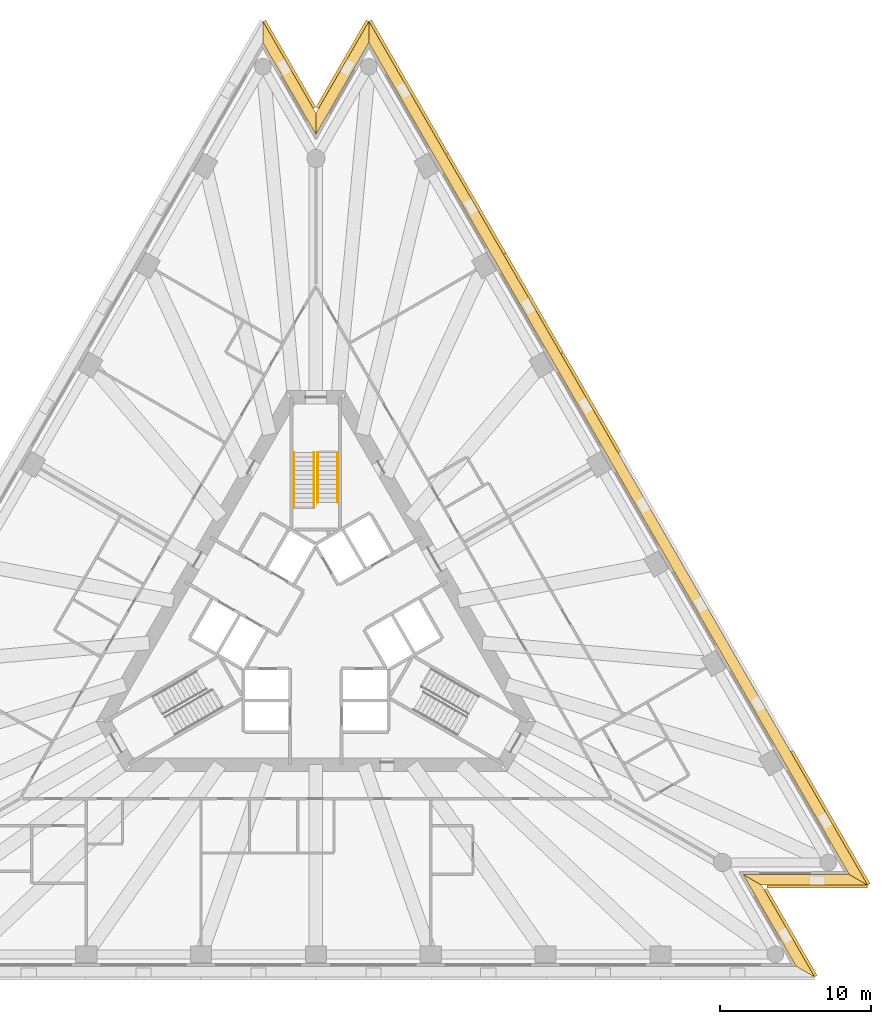
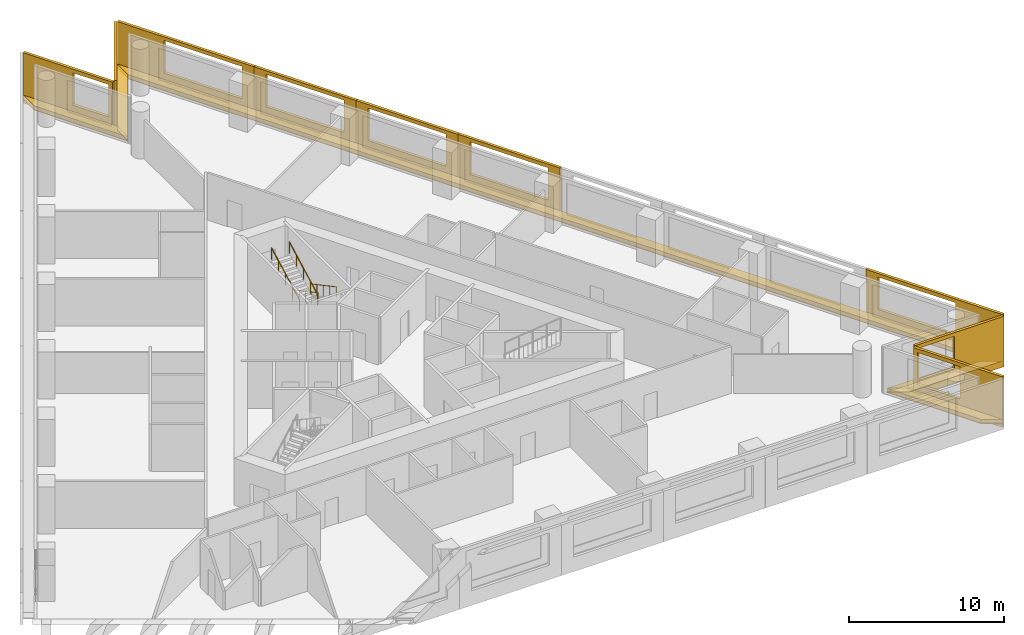
# One storey, part 11 of 11: 14 shading devices, 5 coverings, 4 railings, 1 element without a shape of its own.
"""IFC4 building model written with IfcOpenShell, lengths in metres."""

from ifc_helpers import new_model, si_unit, direction, frame, origin, origin_2d, place, context, subcontext, project, spatial, polyline, circle, outline, extrude, material, layer, layer_set, layer_usage, type_object, element, aggregate, save


model = new_model("IFC4")

# Units and contexts
model_context = context("Model", 3, precision=1e-05, world=origin(), true_north=direction((0.0, 1.0)))
body_context = subcontext(model_context, "Body", "Model", "MODEL_VIEW")
ifc_project = project(units=[si_unit("LENGTHUNIT", "METRE"), si_unit("AREAUNIT", "SQUARE_METRE"), si_unit("VOLUMEUNIT", "CUBIC_METRE"), si_unit("PLANEANGLEUNIT", "RADIAN"), si_unit("MASSUNIT", "GRAM", prefix="KILO")], contexts=[model_context])

# Site, building, storey
site_placement = place(None, origin())
site = spatial("IfcSite", under=ifc_project, at=site_placement, CompositionType="ELEMENT")
building_placement = place(site_placement, origin())
building = spatial("IfcBuilding", under=site, at=building_placement, Name="Triada Interchange Tower", CompositionType="ELEMENT")
storey_placement = place(building_placement, frame((0.0, 0.0, 35.300048828125)))
storey = spatial("IfcBuildingStorey", under=building, at=storey_placement, Name="L06", CompositionType="ELEMENT", Elevation=35.300048828125)

# Coverings
ifc_material_1 = material(Name="Mineral fire-stop board")
ifc_layer_1 = layer(ifc_material_1, 0.0400390625, Name="Mineral fire-stop board")
ifc_material_2 = material(Name="Intumescent sealant")
ifc_layer_2 = layer(ifc_material_2, 0.010009765625, Name="Intumescent seal")
ifc_layer_set_1 = layer_set([ifc_layer_1, ifc_layer_2], Name="Cavity fire stop")
ifc_layer_usage = layer_usage(ifc_layer_set_1, "AXIS3", "POSITIVE", 0.0)
covering_type = type_object("IfcCoveringType", Name="Cavity fire stop", PredefinedType="INSULATION", material=ifc_layer_set_1)
covering_1_placement = place(storey_placement, origin())
element("IfcCovering", 1, at=covering_1_placement, inside=storey, type_object=covering_type, material=ifc_layer_usage, Name="Cavity fire stop L06 SE-1", PredefinedType="INSULATION", context=body_context, shape_type="SweptSolid", body=[
    extrude(outline(polyline([(31.782958984375, -22.39990234375), (32.9951171875, -23.10009765625), (29.488037109375, -17.02490234375), (28.27587890625, -16.324951171875), (31.782958984375, -22.39990234375)])), origin(), (0.0, 0.0, 1.0), 0.050048828125),
])
covering_2_placement = place(storey_placement, origin())
element("IfcCovering", 2, at=covering_2_placement, inside=storey, type_object=covering_type, material=ifc_layer_usage, Name="Cavity fire stop L06 SE-2", PredefinedType="INSULATION", context=body_context, shape_type="SweptSolid", body=[
    extrude(outline(polyline([(28.27587890625, -16.324951171875), (29.488037109375, -17.02490234375), (36.5029296875, -17.02490234375), (35.291015625, -16.324951171875), (28.27587890625, -16.324951171875)])), origin(), (0.0, 0.0, 1.0), 0.050048828125),
])
covering_3_placement = place(storey_placement, origin())
element("IfcCovering", 3, at=covering_3_placement, inside=storey, type_object=covering_type, material=ifc_layer_usage, Name="Cavity fire stop L06 NE", PredefinedType="INSULATION", context=body_context, shape_type="SweptSolid", body=[
    extrude(outline(polyline([(35.291015625, -16.324951171875), (36.5029296875, -17.02490234375), (3.507080078125, 40.125), (3.507080078125, 38.72509765625), (35.291015625, -16.324951171875)])), origin(), (0.0, 0.0, 1.0), 0.050048828125),
])
covering_4_placement = place(storey_placement, origin())
element("IfcCovering", 4, at=covering_4_placement, inside=storey, type_object=covering_type, material=ifc_layer_usage, Name="Cavity fire stop L06 N-1", PredefinedType="INSULATION", context=body_context, shape_type="SweptSolid", body=[
    extrude(outline(polyline([(3.507080078125, 38.72509765625), (3.507080078125, 40.125), (0.0, 34.050048828125), (0.0, 32.64990234375), (3.507080078125, 38.72509765625)])), origin(), (0.0, 0.0, 1.0), 0.050048828125),
])
covering_5_placement = place(storey_placement, origin())
element("IfcCovering", 5, at=covering_5_placement, inside=storey, type_object=covering_type, material=ifc_layer_usage, Name="Cavity fire stop L06 N-2", PredefinedType="INSULATION", context=body_context, shape_type="SweptSolid", body=[
    extrude(outline(polyline([(0.0, 32.64990234375), (0.0, 34.050048828125), (-3.507080078125, 40.125), (-3.507080078125, 38.72509765625), (0.0, 32.64990234375)])), origin(), (0.0, 0.0, 1.0), 0.050048828125),
])

# Shading devices
ifc_material_3 = material(Name="Aluminium louvre", Category="aluminium")
shading_device_type_1 = type_object("IfcShadingDeviceType", Name="Cavity louvre grille", PredefinedType="JALOUSIE", material=ifc_material_3)
shading_device_1_placement = place(storey_placement, frame((0.0, 0.0, 0.050048828125)))
element("IfcShadingDevice", 6, at=shading_device_1_placement, inside=storey, type_object=shading_device_type_1, Name="Cavity louvre grille L06 SE-1", PredefinedType="JALOUSIE", context=body_context, shape_type="SweptSolid", body=[
    extrude(outline(polyline([(31.782958984375, -22.39990234375), (32.9951171875, -23.10009765625), (29.488037109375, -17.02490234375), (28.27587890625, -16.324951171875), (31.782958984375, -22.39990234375)])), origin(), (0.0, 0.0, 1.0), 0.2998046875),
])
shading_device_2_placement = place(storey_placement, frame((0.0, 0.0, 0.050048828125)))
element("IfcShadingDevice", 7, at=shading_device_2_placement, inside=storey, type_object=shading_device_type_1, Name="Cavity louvre grille L06 SE-2", PredefinedType="JALOUSIE", context=body_context, shape_type="SweptSolid", body=[
    extrude(outline(polyline([(28.27587890625, -16.324951171875), (29.488037109375, -17.02490234375), (36.5029296875, -17.02490234375), (35.291015625, -16.324951171875), (28.27587890625, -16.324951171875)])), origin(), (0.0, 0.0, 1.0), 0.2998046875),
])
shading_device_3_placement = place(storey_placement, frame((0.0, 0.0, 0.050048828125)))
element("IfcShadingDevice", 8, at=shading_device_3_placement, inside=storey, type_object=shading_device_type_1, Name="Cavity louvre grille L06 NE", PredefinedType="JALOUSIE", context=body_context, shape_type="SweptSolid", body=[
    extrude(outline(polyline([(35.291015625, -16.324951171875), (36.5029296875, -17.02490234375), (3.507080078125, 40.125), (3.507080078125, 38.72509765625), (35.291015625, -16.324951171875)])), origin(), (0.0, 0.0, 1.0), 0.2998046875),
])
shading_device_4_placement = place(storey_placement, frame((0.0, 0.0, 0.050048828125)))
element("IfcShadingDevice", 9, at=shading_device_4_placement, inside=storey, type_object=shading_device_type_1, Name="Cavity louvre grille L06 N-1", PredefinedType="JALOUSIE", context=body_context, shape_type="SweptSolid", body=[
    extrude(outline(polyline([(3.507080078125, 38.72509765625), (3.507080078125, 40.125), (0.0, 34.050048828125), (0.0, 32.64990234375), (3.507080078125, 38.72509765625)])), origin(), (0.0, 0.0, 1.0), 0.2998046875),
])
shading_device_5_placement = place(storey_placement, frame((0.0, 0.0, 0.050048828125)))
element("IfcShadingDevice", 10, at=shading_device_5_placement, inside=storey, type_object=shading_device_type_1, Name="Cavity louvre grille L06 N-2", PredefinedType="JALOUSIE", context=body_context, shape_type="SweptSolid", body=[
    extrude(outline(polyline([(0.0, 32.64990234375), (0.0, 34.050048828125), (-3.507080078125, 40.125), (-3.507080078125, 38.72509765625), (0.0, 32.64990234375)])), origin(), (0.0, 0.0, 1.0), 0.2998046875),
])
ifc_material_4 = material(Name="Concrete C50/60 precast", Category="concrete")
ifc_layer_3 = layer(ifc_material_4, 0.02001953125, Name="Exposed aggregate face")
ifc_layer_4 = layer(ifc_material_4, 0.179931640625, Name="Precast concrete screen")
ifc_layer_set_2 = layer_set([ifc_layer_3, ifc_layer_4], Name="Outer skin screen panel 3980")
shading_device_type_2 = type_object("IfcShadingDeviceType", Name="Outer skin screen panel 3980", PredefinedType="SHUTTER", material=ifc_layer_set_2)
shading_device_6_placement = place(storey_placement, frame((32.989990234375, -23.091064453125, -0.2900390625), z_axis=(0.0, 0.0, 1.0), x_axis=(-0.50001386285, 0.866017399916, 0.0)))
element("IfcShadingDevice", 11, at=shading_device_6_placement, inside=storey, type_object=shading_device_type_2, Name="Outer skin screen panel L06 19", PredefinedType="SHUTTER", context=body_context, shape_type="SweptSolid", body=[
    extrude(outline(polyline([(0.0, 0.0), (6.647705078125, 0.0), (6.647705078125, 3.97998046875), (0.0, 3.97998046875), (0.0, 0.0)]), holes=[polyline([(3.17529296875, 1.139892578125), (3.17529296875, 3.68994140625), (6.347900390625, 3.68994140625), (6.347900390625, 1.139892578125), (3.17529296875, 1.139892578125)])]), frame((0.0, 0.0, 0.0), z_axis=(0.0, -1.0, 0.0), x_axis=(1.0, 0.0, 0.0)), (0.0, 0.0, 1.0), 0.199951171875),
])
shading_device_7_placement = place(storey_placement, frame((29.844970703125, -17.02490234375, -0.2900390625), z_axis=(0.0, 0.0, 1.0), x_axis=(1.0, 0.0, 0.0)))
element("IfcShadingDevice", 12, at=shading_device_7_placement, inside=storey, type_object=shading_device_type_2, Name="Outer skin screen panel L06 20", PredefinedType="SHUTTER", context=body_context, shape_type="SweptSolid", body=[
    extrude(outline(polyline([(0.0, 0.0), (6.64794921875, 0.0), (6.64794921875, 3.97998046875), (0.0, 3.97998046875), (0.0, 0.0)]), holes=[polyline([(0.300048828125, 1.139892578125), (0.300048828125, 3.68994140625), (2.9580078125, 3.68994140625), (2.9580078125, 1.139892578125), (0.300048828125, 1.139892578125)])]), frame((0.0, 0.0, 0.0), z_axis=(0.0, -1.0, 0.0), x_axis=(1.0, 0.0, 0.0)), (0.0, 0.0, 1.0), 0.199951171875),
])
shading_device_8_placement = place(storey_placement, frame((36.498046875, -17.01611328125, -0.2900390625), z_axis=(0.0, 0.0, 1.0), x_axis=(-0.500016609325, 0.866015814174, 0.0)))
element("IfcShadingDevice", 13, at=shading_device_8_placement, inside=storey, type_object=shading_device_type_2, Name="Outer skin screen panel L06 21", PredefinedType="SHUTTER", context=body_context, shape_type="SweptSolid", body=[
    extrude(outline(polyline([(0.0, 0.0), (10.177978515625, 0.0), (10.177978515625, 3.97998046875), (0.0, 3.97998046875), (0.0, 0.0)]), holes=[polyline([(3.4873046875, 1.139892578125), (3.4873046875, 3.68994140625), (9.287353515625, 3.68994140625), (9.287353515625, 1.139892578125), (3.4873046875, 1.139892578125)])]), frame((0.0, 0.0, 0.0), z_axis=(0.0, -1.0, 0.0), x_axis=(1.0, 0.0, 0.0)), (0.0, 0.0, 1.0), 0.199951171875),
])
shading_device_9_placement = place(storey_placement, frame((20.0, 11.55908203125, -0.2900390625), z_axis=(0.0, 0.0, 1.0), x_axis=(-0.500032870163, 0.866006425355, 0.0)))
element("IfcShadingDevice", 14, at=shading_device_9_placement, inside=storey, type_object=shading_device_type_2, Name="Outer skin screen panel L06 25", PredefinedType="SHUTTER", context=body_context, shape_type="SweptSolid", body=[
    extrude(outline(polyline([(0.0, 0.0), (7.57958984375, 0.0), (7.57958984375, 3.97998046875), (0.0, 3.97998046875), (0.0, 0.0)]), holes=[polyline([(0.8896484375, 1.139892578125), (0.8896484375, 3.68994140625), (6.689697265625, 3.68994140625), (6.689697265625, 1.139892578125), (0.8896484375, 1.139892578125)])]), frame((0.0, 0.0, 0.0), z_axis=(0.0, -1.0, 0.0), x_axis=(1.0, 0.0, 0.0)), (0.0, 0.0, 1.0), 0.199951171875),
])
shading_device_10_placement = place(storey_placement, frame((16.199951171875, 18.139892578125, -0.2900390625), z_axis=(0.0, 0.0, 1.0), x_axis=(-0.499922287265, 0.866070266604, 0.0)))
element("IfcShadingDevice", 15, at=shading_device_10_placement, inside=storey, type_object=shading_device_type_2, Name="Outer skin screen panel L06 26", PredefinedType="SHUTTER", context=body_context, shape_type="SweptSolid", body=[
    extrude(outline(polyline([(0.0, 0.0), (7.579345703125, 0.0), (7.579345703125, 3.97998046875), (0.0, 3.97998046875), (0.0, 0.0)]), holes=[polyline([(0.88916015625, 1.139892578125), (0.88916015625, 3.68994140625), (6.689208984375, 3.68994140625), (6.689208984375, 1.139892578125), (0.88916015625, 1.139892578125)])]), frame((0.0, 0.0, 0.0), z_axis=(0.0, -1.0, 0.0), x_axis=(1.0, 0.0, 0.0)), (0.0, 0.0, 1.0), 0.199951171875),
])
shading_device_11_placement = place(storey_placement, frame((12.40087890625, 24.720947265625, -0.2900390625), z_axis=(0.0, 0.0, 1.0), x_axis=(-0.500008712905, 0.866020373328, 0.0)))
element("IfcShadingDevice", 16, at=shading_device_11_placement, inside=storey, type_object=shading_device_type_2, Name="Outer skin screen panel L06 27", PredefinedType="SHUTTER", context=body_context, shape_type="SweptSolid", body=[
    extrude(outline(polyline([(0.0, 0.0), (7.579345703125, 0.0), (7.579345703125, 3.97998046875), (0.0, 3.97998046875), (0.0, 0.0)]), holes=[polyline([(0.889892578125, 1.139892578125), (0.889892578125, 3.68994140625), (6.689697265625, 3.68994140625), (6.689697265625, 1.139892578125), (0.889892578125, 1.139892578125)])]), frame((0.0, 0.0, 0.0), z_axis=(0.0, -1.0, 0.0), x_axis=(1.0, 0.0, 0.0)), (0.0, 0.0, 1.0), 0.199951171875),
])
shading_device_12_placement = place(storey_placement, frame((8.60107421875, 31.302001953125, -0.2900390625), z_axis=(0.0, 0.0, 1.0), x_axis=(-0.500026996568, 0.866009816748, 0.0)))
element("IfcShadingDevice", 17, at=shading_device_12_placement, inside=storey, type_object=shading_device_type_2, Name="Outer skin screen panel L06 28", PredefinedType="SHUTTER", context=body_context, shape_type="SweptSolid", body=[
    extrude(outline(polyline([(0.0, 0.0), (10.177734375, 0.0), (10.177734375, 3.97998046875), (0.0, 3.97998046875), (0.0, 0.0)]), holes=[polyline([(0.889404296875, 1.139892578125), (0.889404296875, 3.68994140625), (6.689453125, 3.68994140625), (6.689453125, 1.139892578125), (0.889404296875, 1.139892578125)])]), frame((0.0, 0.0, 0.0), z_axis=(0.0, -1.0, 0.0), x_axis=(1.0, 0.0, 0.0)), (0.0, 0.0, 1.0), 0.199951171875),
])
shading_device_13_placement = place(storey_placement, frame((3.501953125, 40.115966796875, -0.2900390625), z_axis=(0.0, 0.0, 1.0), x_axis=(-0.50001386285, -0.866017399916, 0.0)))
element("IfcShadingDevice", 18, at=shading_device_13_placement, inside=storey, type_object=shading_device_type_2, Name="Outer skin screen panel L06 29", PredefinedType="SHUTTER", context=body_context, shape_type="SweptSolid", body=[
    extrude(outline(polyline([(0.0, 0.0), (6.647705078125, 0.0), (6.647705078125, 3.97998046875), (0.0, 3.97998046875), (0.0, 0.0)]), holes=[polyline([(3.175537109375, 1.139892578125), (3.175537109375, 3.68994140625), (6.34814453125, 3.68994140625), (6.34814453125, 1.139892578125), (3.175537109375, 1.139892578125)])]), frame((0.0, 0.0, 0.0), z_axis=(0.0, -1.0, 0.0), x_axis=(1.0, 0.0, 0.0)), (0.0, 0.0, 1.0), 0.199951171875),
])
shading_device_14_placement = place(storey_placement, frame((-0.177978515625, 34.35888671875, -0.2900390625), z_axis=(0.0, 0.0, 1.0), x_axis=(-0.50001386285, 0.866017399916, 0.0)))
element("IfcShadingDevice", 19, at=shading_device_14_placement, inside=storey, type_object=shading_device_type_2, Name="Outer skin screen panel L06 30", PredefinedType="SHUTTER", context=body_context, shape_type="SweptSolid", body=[
    extrude(outline(polyline([(0.0, 0.0), (6.647705078125, 0.0), (6.647705078125, 3.97998046875), (0.0, 3.97998046875), (0.0, 0.0)]), holes=[polyline([(0.300048828125, 1.139892578125), (0.300048828125, 3.68994140625), (2.957763671875, 3.68994140625), (2.957763671875, 1.139892578125), (0.300048828125, 1.139892578125)])]), frame((0.0, 0.0, 0.0), z_axis=(0.0, -1.0, 0.0), x_axis=(1.0, 0.0, 0.0)), (0.0, 0.0, 1.0), 0.199951171875),
])

# Stair, railings
ifc_material_5 = material(Name="Concrete C35/45", Category="concrete")
stair_type = type_object("IfcStairType", Name="HALF TURN STAIR 1400", PredefinedType="HALF_TURN_STAIR", material=ifc_material_5)
stair_placement = place(storey_placement, origin())
stair = element("IfcStair", 20, at=stair_placement, inside=storey, type_object=stair_type, Name="Exit stair S06-1", PredefinedType="HALF_TURN_STAIR")
ifc_material_6 = material(Name="Stainless steel 1.4301", Category="steel")
railing_type = type_object("IfcRailingType", Name="STAIR HANDRAIL 900", PredefinedType="HANDRAIL", material=ifc_material_6)
railing_1_placement = place(storey_placement, frame((1.449951171875, 11.60009765625, 0.159912109375)))
railing_1 = element("IfcRailing", 21, at=railing_1_placement, type_object=railing_type, Name="Handrail S06-1 1W", PredefinedType="HANDRAIL", context=body_context, shape_type="SweptSolid", body=[
    extrude(circle(Radius=0.02392578125, at=origin_2d()), frame((0.0, 0.0, 0.8759765625), z_axis=(0.0, -0.882354748157, 0.47058484719), x_axis=(1.0, 0.0, 0.0)), (0.0, 0.0, 1.0), 3.739990234375),
    extrude(circle(Radius=0.02099609375, at=origin_2d()), origin(), (0.0, 0.0, 1.0), 0.851806640625),
    extrude(circle(Radius=0.02099609375, at=origin_2d()), frame((0.0, -0.824951171875, 0.43994140625)), (0.0, 0.0, 1.0), 0.851806640625),
    extrude(circle(Radius=0.02099609375, at=origin_2d()), frame((0.0, -1.64990234375, 0.8798828125)), (0.0, 0.0, 1.0), 0.851806640625),
    extrude(circle(Radius=0.02099609375, at=origin_2d()), frame((0.0, -2.47509765625, 1.320068359375)), (0.0, 0.0, 1.0), 0.851806640625),
    extrude(circle(Radius=0.02099609375, at=origin_2d()), frame((0.0, -3.300048828125, 1.760009765625)), (0.0, 0.0, 1.0), 0.851806640625),
])
railing_2_placement = place(storey_placement, frame((0.1201171875, 11.60009765625, 0.159912109375)))
railing_2 = element("IfcRailing", 22, at=railing_2_placement, type_object=railing_type, Name="Handrail S06-1 1C", PredefinedType="HANDRAIL", context=body_context, shape_type="SweptSolid", body=[
    extrude(circle(Radius=0.02392578125, at=origin_2d()), frame((0.0, 0.0, 0.8759765625), z_axis=(0.0, -0.882354748157, 0.47058484719), x_axis=(1.0, 0.0, 0.0)), (0.0, 0.0, 1.0), 3.739990234375),
    extrude(circle(Radius=0.02099609375, at=origin_2d()), origin(), (0.0, 0.0, 1.0), 0.851806640625),
    extrude(circle(Radius=0.02099609375, at=origin_2d()), frame((0.0, -0.824951171875, 0.43994140625)), (0.0, 0.0, 1.0), 0.851806640625),
    extrude(circle(Radius=0.02099609375, at=origin_2d()), frame((0.0, -1.64990234375, 0.8798828125)), (0.0, 0.0, 1.0), 0.851806640625),
    extrude(circle(Radius=0.02099609375, at=origin_2d()), frame((0.0, -2.47509765625, 1.320068359375)), (0.0, 0.0, 1.0), 0.851806640625),
    extrude(circle(Radius=0.02099609375, at=origin_2d()), frame((0.0, -3.300048828125, 1.760009765625)), (0.0, 0.0, 1.0), 0.851806640625),
])
railing_3_placement = place(storey_placement, frame((-1.449951171875, 8.0, 2.079833984375)))
railing_3 = element("IfcRailing", 23, at=railing_3_placement, type_object=railing_type, Name="Handrail S06-1 2W", PredefinedType="HANDRAIL", context=body_context, shape_type="SweptSolid", body=[
    extrude(circle(Radius=0.02392578125, at=origin_2d()), frame((0.0, 0.0, 0.8759765625), z_axis=(0.0, 0.882341346394, 0.470609974867), x_axis=(-1.0, 0.0, 0.0)), (0.0, 0.0, 1.0), 4.080078125),
    extrude(circle(Radius=0.02099609375, at=origin_2d()), origin(), (0.0, 0.0, 1.0), 0.851806640625),
    extrude(circle(Radius=0.02099609375, at=origin_2d()), frame((0.0, 0.89990234375, 0.47998046875)), (0.0, 0.0, 1.0), 0.851806640625),
    extrude(circle(Radius=0.02099609375, at=origin_2d()), frame((0.0, 1.800048828125, 0.9599609375)), (0.0, 0.0, 1.0), 0.851806640625),
    extrude(circle(Radius=0.02099609375, at=origin_2d()), frame((0.0, 2.7001953125, 1.440185546875)), (0.0, 0.0, 1.0), 0.851806640625),
    extrude(circle(Radius=0.02099609375, at=origin_2d()), frame((0.0, 3.60009765625, 1.920166015625)), (0.0, 0.0, 1.0), 0.851806640625),
])
railing_4_placement = place(storey_placement, frame((-0.1201171875, 8.0, 2.079833984375)))
railing_4 = element("IfcRailing", 24, at=railing_4_placement, type_object=railing_type, Name="Handrail S06-1 2C", PredefinedType="HANDRAIL", context=body_context, shape_type="SweptSolid", body=[
    extrude(circle(Radius=0.02392578125, at=origin_2d()), frame((0.0, 0.0, 0.8759765625), z_axis=(0.0, 0.882341346394, 0.470609974867), x_axis=(-1.0, 0.0, 0.0)), (0.0, 0.0, 1.0), 4.080078125),
    extrude(circle(Radius=0.02099609375, at=origin_2d()), origin(), (0.0, 0.0, 1.0), 0.851806640625),
    extrude(circle(Radius=0.02099609375, at=origin_2d()), frame((0.0, 0.89990234375, 0.47998046875)), (0.0, 0.0, 1.0), 0.851806640625),
    extrude(circle(Radius=0.02099609375, at=origin_2d()), frame((0.0, 1.800048828125, 0.9599609375)), (0.0, 0.0, 1.0), 0.851806640625),
    extrude(circle(Radius=0.02099609375, at=origin_2d()), frame((0.0, 2.7001953125, 1.440185546875)), (0.0, 0.0, 1.0), 0.851806640625),
    extrude(circle(Radius=0.02099609375, at=origin_2d()), frame((0.0, 3.60009765625, 1.920166015625)), (0.0, 0.0, 1.0), 0.851806640625),
])
aggregate(stair, [railing_1, railing_2, railing_3, railing_4])

save(model, "model.ifc")
